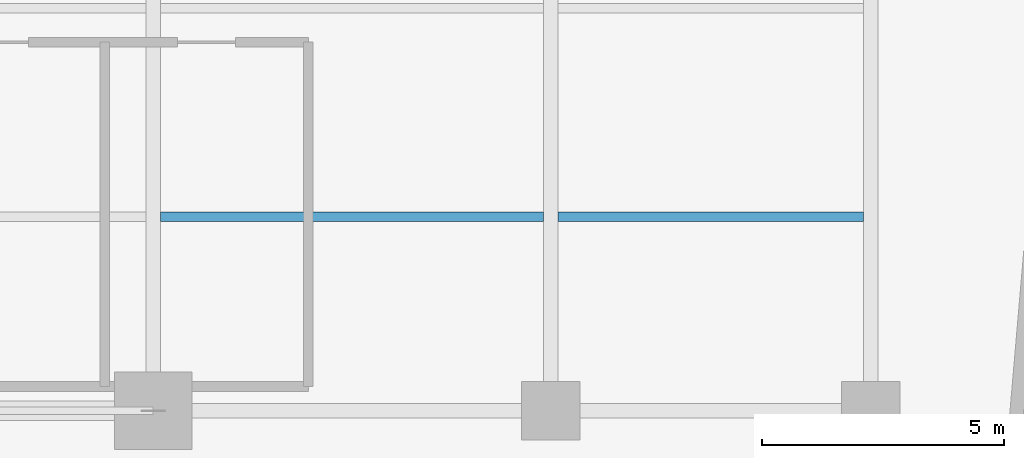
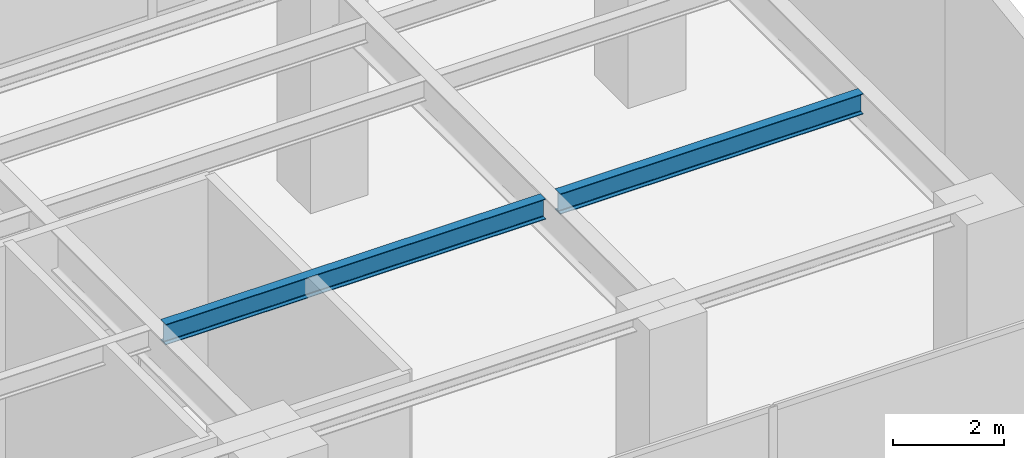
# One storey, part 17 of 36: 2 beams.
"""IFC4 building model written with IfcOpenShell, lengths in metres."""

import ifcopenshell
import ifcopenshell.guid

model = None  # the IFC model being written
_history = None  # IfcOwnerHistory: only IFC2X3 demands one
_inside = {}  # id of a spatial element -> (the spatial element, [elements in it])
_under = {}  # id of a project, library or spatial element -> (it, [spatial elements below it])
_declared = {}  # id of a project -> (the project, [libraries it declares])
_typed = {}  # id of a type object -> (the type object, [elements of that type])
_made_of = {}  # id of a material, layer set ... -> (it, [elements and type objects made of it])


def new_model(schema):
    """Start an empty IFC model of exactly this schema.

    Asked for "IFC4X3", IfcOpenShell would pick the latest addendum, in which some entities
    have other attributes; the version numbers below select the first issue.
    IFC2X3 requires an IfcOwnerHistory on every rooted entity: one is made here for all.
    """
    global model, _history
    if schema == "IFC4X3":
        model = ifcopenshell.file(schema_version=(4, 3, 0, 0))
    else:
        model = ifcopenshell.file(schema=schema)
    _inside.clear()
    _under.clear()
    _declared.clear()
    _typed.clear()
    _made_of.clear()
    _history = None
    if model.schema == "IFC2X3":
        org = make("IfcOrganization", Name="unknown")
        user = make(
            "IfcPersonAndOrganization",
            ThePerson=make("IfcPerson", FamilyName="unknown"),
            TheOrganization=org,
        )
        app = make(
            "IfcApplication",
            ApplicationDeveloper=org,
            Version="unknown",
            ApplicationFullName="unknown",
            ApplicationIdentifier="unknown",
        )
        _history = make(
            "IfcOwnerHistory",
            OwningUser=user,
            OwningApplication=app,
            ChangeAction="ADDED",
            CreationDate=0,
        )
    return model


def make(cls, **values):
    """One entity of the class cls with the attributes given. An attribute that is None is left unset."""
    return model.create_entity(
        cls, **{name: value for name, value in values.items() if value is not None}
    )


def rooted(cls, **values):
    """An entity with a GlobalId (a new one), such as an element, a storey or a relation."""
    return make(cls, GlobalId=ifcopenshell.guid.new(), OwnerHistory=_history, **values)


def si_unit(unit_type, name, prefix=None):
    """IfcSIUnit, for example si_unit("LENGTHUNIT", "METRE", prefix="MILLI")."""
    return make("IfcSIUnit", UnitType=unit_type, Prefix=prefix, Name=name)


def assignment(units):
    """IfcUnitAssignment: the units of a project."""
    return None if units is None else make("IfcUnitAssignment", Units=units)


def point(xyz):
    """IfcCartesianPoint."""
    return None if xyz is None else make("IfcCartesianPoint", Coordinates=xyz)


def direction(xyz):
    """IfcDirection."""
    return None if xyz is None else make("IfcDirection", DirectionRatios=xyz)


def frame(location, z_axis=None, x_axis=None):
    """IfcAxis2Placement3D, a coordinate frame: its origin and axes. An axis left out is left unset."""
    return make(
        "IfcAxis2Placement3D",
        Location=point(location),
        Axis=direction(z_axis),
        RefDirection=direction(x_axis),
    )


def frame_2d(location, x_axis=None):
    """IfcAxis2Placement2D, a coordinate frame in the plane: its origin and x axis."""
    return make(
        "IfcAxis2Placement2D", Location=point(location), RefDirection=direction(x_axis)
    )


def origin():
    """The frame at (0, 0, 0) with its axes left unset."""
    return frame((0.0, 0.0, 0.0))


def origin_2d():
    """The frame at (0, 0) in the plane with its x axis left unset."""
    return frame_2d((0.0, 0.0))


def place(relative_to, where):
    """IfcLocalPlacement: puts the frame where relative to a parent placement (None: the world)."""
    return make(
        "IfcLocalPlacement", PlacementRelTo=relative_to, RelativePlacement=where
    )


def context(
    kind, dimensions, precision=None, world=None, true_north=None, identifier=None
):
    """IfcGeometricRepresentationContext, for example the 3D "Model" context."""
    return make(
        "IfcGeometricRepresentationContext",
        ContextIdentifier=identifier,
        ContextType=kind,
        CoordinateSpaceDimension=dimensions,
        Precision=precision,
        WorldCoordinateSystem=world,
        TrueNorth=true_north,
    )


def subcontext(parent, identifier, kind, view, scale=None):
    """IfcGeometricRepresentationSubContext, for example "Body" below "Model"."""
    return make(
        "IfcGeometricRepresentationSubContext",
        ContextIdentifier=identifier,
        ContextType=kind,
        ParentContext=parent,
        TargetScale=scale,
        TargetView=view,
    )


def project(units=None, contexts=None):
    """IfcProject with its units and contexts."""
    return rooted(
        "IfcProject",
        Name="project",
        RepresentationContexts=contexts,
        UnitsInContext=assignment(units),
    )


def spatial(cls, under=None, at=None, **own):
    """A site, building, storey or space (cls), placed at a placement, below another one or the project."""
    s = rooted(cls, ObjectPlacement=at, **own)
    if under is not None:
        _under.setdefault(under.id(), (under, []))[1].append(s)
    return s


def profile(cls, at=None, kind="AREA", **sizes):
    """A parametric profile (cls). Its sizes go by their IFC names, for example OverallWidth=200.0."""
    return make(cls, ProfileType=kind, Position=at, **sizes)


def i_section(**sizes):
    """IfcIShapeProfileDef."""
    return profile("IfcIShapeProfileDef", **sizes)


def extrude(swept, where, along, depth):
    """IfcExtrudedAreaSolid: the profile swept, set in the frame where, extruded along a direction by depth."""
    return make(
        "IfcExtrudedAreaSolid",
        SweptArea=swept,
        Position=where,
        ExtrudedDirection=direction(along),
        Depth=depth,
    )


def shape(context_of_items, identifier, shape_type, items):
    """IfcShapeRepresentation: the items that make up one representation, for example the "Body"."""
    return make(
        "IfcShapeRepresentation",
        ContextOfItems=context_of_items,
        RepresentationIdentifier=identifier,
        RepresentationType=shape_type,
        Items=items,
    )


def material(Name=None, Category=None):
    """IfcMaterial."""
    return make("IfcMaterial", Name=Name, Category=Category)


def material_profile(
    of_material, cross_section, Name=None, Category=None, Priority=None
):
    """IfcMaterialProfile: a cross section and its material."""
    return make(
        "IfcMaterialProfile",
        Name=Name,
        Material=of_material,
        Profile=cross_section,
        Priority=Priority,
        Category=Category,
    )


def profile_set(profiles, Name=None, composite=None):
    """IfcMaterialProfileSet."""
    return make(
        "IfcMaterialProfileSet",
        Name=Name,
        MaterialProfiles=profiles,
        CompositeProfile=composite,
    )


def made_of(thing, what):
    """Note that an element or type object is made of a material, layer set ...; save() writes the relation."""
    if what is not None:
        _made_of.setdefault(what.id(), (what, []))[1].append(thing)
    return thing


def type_object(cls, material=None, **own):
    """A type object (cls), such as IfcWallType, which elements share."""
    return made_of(rooted(cls, **own), material)


def element(
    cls,
    number,
    at=None,
    inside=None,
    cuts=None,
    type_object=None,
    material=None,
    context=None,
    identifier="Body",
    shape_type=None,
    held_by="IfcProductDefinitionShape",
    body=None,
    shapes=None,
    **own,
):
    """One element of the class cls, such as IfcWall. Its Tag is "e" and its number.

    at: its placement. inside: the storey or other place that contains it. cuts: it is an
    opening in that element (IfcRelVoidsElement). A single representation is given by context,
    identifier, shape_type and body (its items); several are given by shapes. held_by: the class
    of the entity that holds the representations. save() writes the other relations.
    """
    e = rooted(cls, Tag="e%d" % number, ObjectPlacement=at, **own)
    if body is not None:
        shapes = [shape(context, identifier, shape_type, body)]
    if shapes is not None:
        e.Representation = make(held_by, Representations=shapes)
    if inside is not None:
        _inside.setdefault(inside.id(), (inside, []))[1].append(e)
    if cuts is not None:
        rooted(
            "IfcRelVoidsElement", RelatingBuildingElement=cuts, RelatedOpeningElement=e
        )
    if type_object is not None:
        _typed.setdefault(type_object.id(), (type_object, []))[1].append(e)
    return made_of(e, material)


def aggregate(whole, parts):
    """IfcRelAggregates: a whole, such as a stair, and the parts it consists of."""
    return rooted("IfcRelAggregates", RelatingObject=whole, RelatedObjects=parts)


def save(model, path):
    """Write the relations noted so far, then the file.

    IfcRelAggregates (storeys below a building ...), IfcRelContainedInSpatialStructure (elements
    in a storey), IfcRelDefinesByType, IfcRelAssociatesMaterial and IfcRelDeclares: one each for
    every whole, place, type object, material and project.
    """
    for whole, parts in _under.values():
        aggregate(whole, parts)
    for where, things in _inside.values():
        rooted(
            "IfcRelContainedInSpatialStructure",
            RelatedElements=things,
            RelatingStructure=where,
        )
    for kind, things in _typed.values():
        rooted("IfcRelDefinesByType", RelatedObjects=things, RelatingType=kind)
    for what, things in _made_of.values():
        rooted("IfcRelAssociatesMaterial", RelatedObjects=things, RelatingMaterial=what)
    for by, libraries in _declared.values():
        rooted("IfcRelDeclares", RelatingContext=by, RelatedDefinitions=libraries)
    model.write(path)


model = new_model("IFC4")

# Units and contexts
model_context = context("Model", 3, precision=1e-05, world=origin(), true_north=direction((0.0, 1.0)))
body_context = subcontext(model_context, "Body", "Model", "MODEL_VIEW")
ifc_project = project(units=[si_unit("LENGTHUNIT", "METRE"), si_unit("AREAUNIT", "SQUARE_METRE"), si_unit("VOLUMEUNIT", "CUBIC_METRE"), si_unit("PLANEANGLEUNIT", "RADIAN"), si_unit("MASSUNIT", "GRAM", prefix="KILO")], contexts=[model_context])

# Site, building, storey
site_placement = place(None, origin())
site = spatial("IfcSite", under=ifc_project, at=site_placement, CompositionType="ELEMENT")
building_placement = place(site_placement, origin())
building = spatial("IfcBuilding", under=site, at=building_placement, Name="Kolvaren Waterfront Exchange", CompositionType="ELEMENT")
storey_placement = place(building_placement, frame((0.0, 0.0, 82.800048828125)))
storey = spatial("IfcBuildingStorey", under=building, at=storey_placement, Name="L21", CompositionType="ELEMENT", Elevation=82.800048828125)

# Beams
ifc_material = material(Name="Steel S355", Category="steel")
ifc_material_profile = material_profile(ifc_material, i_section(OverallWidth=0.18994140625, OverallDepth=0.449951171875, WebThickness=0.009521484375, FlangeThickness=0.0146484375, FilletRadius=0.02099609375, at=origin_2d()), Name="IPE450")
ifc_profile_set = profile_set([ifc_material_profile], Name="Steel S355")
beam_type = type_object("IfcBeamType", Name="STR-BM-IPE450", PredefinedType="JOIST", material=ifc_profile_set)
beam_1_placement = place(storey_placement, frame((45.751953125, 9.199951171875, 4.614990234375), z_axis=(1.0, 0.0, 0.0), x_axis=(0.0, 1.0, 0.0)))
element("IfcBeam", 1, at=beam_1_placement, inside=storey, type_object=beam_type, Name="L21 east-arm composite joist 4B", PredefinedType="JOIST", context=body_context, shape_type="SweptSolid", body=[
    extrude(i_section(OverallWidth=0.18994140625, OverallDepth=0.449951171875, WebThickness=0.009521484375, FlangeThickness=0.0146484375, FilletRadius=0.02099609375, at=origin_2d()), origin(), (0.0, 0.0, 1.0), 7.89599609375),
])
beam_2_placement = place(storey_placement, frame((53.951904296875, 9.199951171875, 4.614990234375), z_axis=(1.0, 0.0, 0.0), x_axis=(0.0, 1.0, 0.0)))
element("IfcBeam", 2, at=beam_2_placement, inside=storey, type_object=beam_type, Name="L21 east-arm composite joist 5B", PredefinedType="JOIST", context=body_context, shape_type="SweptSolid", body=[
    extrude(i_section(OverallWidth=0.18994140625, OverallDepth=0.449951171875, WebThickness=0.009521484375, FlangeThickness=0.0146484375, FilletRadius=0.02099609375, at=origin_2d()), origin(), (0.0, 0.0, 1.0), 6.296142578125),
])

save(model, "model.ifc")
